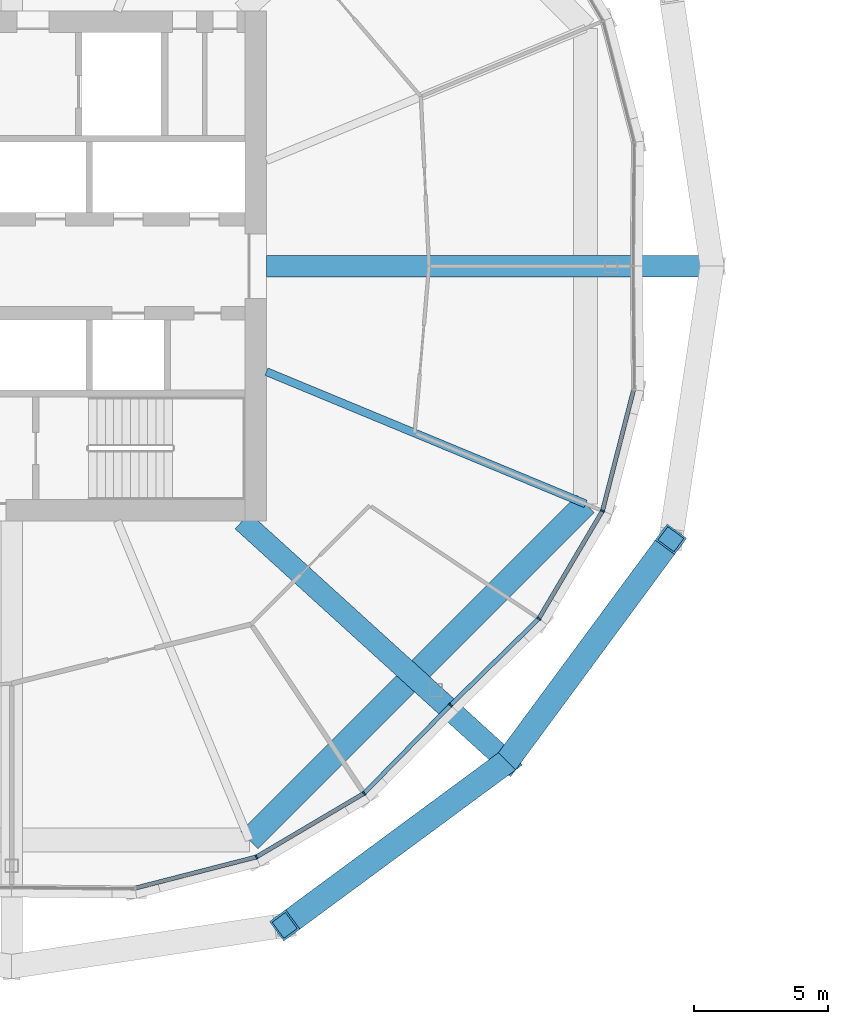
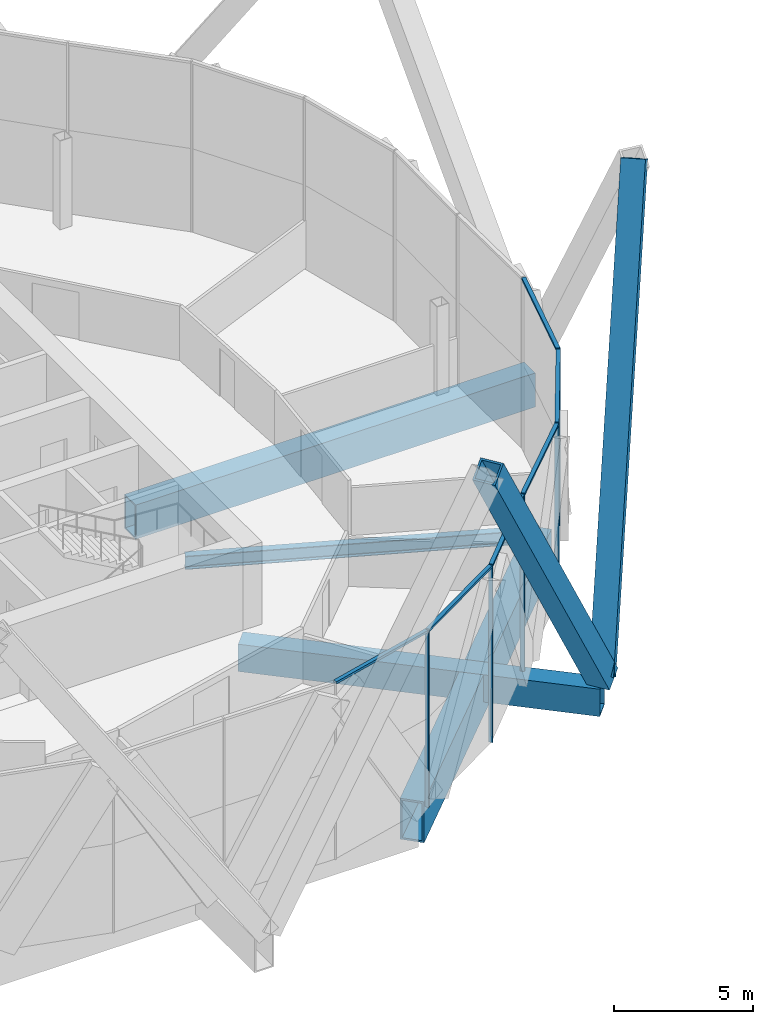
# One storey, part 6 of 28: 13 members, 4 beams, 2 elements without a shape of their own.
"""IFC4 building model written with IfcOpenShell, lengths in metres."""

from ifc_helpers import new_model, si_unit, direction, frame, origin, origin_2d, place, context, subcontext, project, spatial, rectangle, hollow_rectangle, i_section, extrude, material, material_profile, profile_set, type_object, element, aggregate, save


model = new_model("IFC4")

# Units and contexts
model_context = context("Model", 3, precision=1e-05, world=origin(), true_north=direction((0.0, 1.0)))
body_context = subcontext(model_context, "Body", "Model", "MODEL_VIEW")
ifc_project = project(units=[si_unit("LENGTHUNIT", "METRE"), si_unit("AREAUNIT", "SQUARE_METRE"), si_unit("VOLUMEUNIT", "CUBIC_METRE"), si_unit("PLANEANGLEUNIT", "RADIAN"), si_unit("MASSUNIT", "GRAM", prefix="KILO")], contexts=[model_context])

# Site, building, storey
site_placement = place(None, origin())
site = spatial("IfcSite", under=ifc_project, at=site_placement, CompositionType="ELEMENT")
building_placement = place(site_placement, origin())
building = spatial("IfcBuilding", under=site, at=building_placement, Name="Ogive Gate Towers", CompositionType="ELEMENT")
storey_placement = place(building_placement, frame((0.0, 0.0, 115.199951171875)))
storey = spatial("IfcBuildingStorey", under=building, at=storey_placement, Name="L27", CompositionType="ELEMENT", Elevation=115.199951171875)

# Members
ifc_material_1 = material(Name="Steel SM460", Category="steel")
ifc_material_profile_1 = material_profile(ifc_material_1, hollow_rectangle(XDim=0.89990234375, YDim=0.89990234375, WallThickness=0.080078125, at=origin_2d()), Name="BX 900x900x80")
ifc_profile_set_1 = profile_set([ifc_material_profile_1], Name="Steel SM460")
member_type_1 = type_object("IfcMemberType", Name="Diagrid diagonal BX 900x900x80", PredefinedType="BRACE", material=ifc_profile_set_1)
for number, where, z_axis, x_axis, name in (
    (1, (-17.537353515625, -18.462646484375, 0.0), (-0.443175302272, -0.327039025082, 0.83465030254), (0.593774070845, -0.804631811944, 0.0), "T1/L27/SDG015"),
    (2, (-17.537353515625, -18.462646484375, 0.0), (0.327039025082, 0.443175302272, 0.83465030254), (-0.804631811944, 0.593774070845, 0.0), "T1/L27/SDG016"),
):
    element("IfcMember", number, at=place(storey_placement, frame(where, z_axis=z_axis, x_axis=x_axis)), inside=storey, type_object=member_type_1, Name=name, PredefinedType="BRACE", context=body_context, shape_type="SweptSolid", body=[
        extrude(hollow_rectangle(XDim=0.89990234375, YDim=0.89990234375, WallThickness=0.080078125, at=origin_2d()), origin(), (0.0, 0.0, 1.0), 18.690673828125),
    ])

# Beams
ifc_material_profile_2 = material_profile(ifc_material_1, hollow_rectangle(XDim=0.89990234375, YDim=1.800048828125, WallThickness=0.080078125, at=origin_2d()), Name="BX 1800x900x80")
ifc_profile_set_2 = profile_set([ifc_material_profile_2], Name="Steel SM460")
beam_type_1 = type_object("IfcBeamType", Name="Edge girder BX 1800x900x80", PredefinedType="BEAM", material=ifc_profile_set_2)
beam_1_placement = place(storey_placement, frame((-27.136962890625, -21.39697265625, -1.199951171875), z_axis=(0.707106781187, 0.707106781187, 0.0), x_axis=(-0.707106781187, 0.707106781187, 0.0)))
element("IfcBeam", 3, at=beam_1_placement, inside=storey, type_object=beam_type_1, Name="T1/L27/SBM019", PredefinedType="BEAM", context=body_context, shape_type="SweptSolid", body=[
    extrude(hollow_rectangle(XDim=0.89990234375, YDim=1.800048828125, WallThickness=0.080078125, at=origin_2d()), origin(), (0.0, 0.0, 1.0), 17.7255859375),
])
ifc_material_2 = material(Name="Steel SM355", Category="steel")
ifc_material_profile_3 = material_profile(ifc_material_2, i_section(OverallWidth=0.300048828125, OverallDepth=0.590087890625, WebThickness=0.012939453125, FlangeThickness=0.02490234375, FilletRadius=0.027099609375, at=origin_2d()), Name="HE 600 A")
ifc_profile_set_3 = profile_set([ifc_material_profile_3], Name="Steel SM355")
beam_type_2 = type_object("IfcBeamType", Name="Radial floor beam HE 600 A", PredefinedType="BEAM", material=ifc_profile_set_3)
beam_2_placement = place(storey_placement, frame((-26.5, -3.93505859375, -0.594970703125), z_axis=(0.923877031545, -0.382689470177, 0.0), x_axis=(0.382689470177, 0.923877031545, 0.0)))
element("IfcBeam", 4, at=beam_2_placement, inside=storey, type_object=beam_type_2, Name="T1/L27/SBM007", PredefinedType="BEAM", context=body_context, shape_type="SweptSolid", body=[
    extrude(i_section(OverallWidth=0.300048828125, OverallDepth=0.590087890625, WebThickness=0.012939453125, FlangeThickness=0.02490234375, FilletRadius=0.027099609375, at=origin_2d()), origin(), (0.0, 0.0, 1.0), 12.877197265625),
])

# Curtain wall, members
ifc_material_3 = material(Name="Pale metal aluminium", Category="aluminium")
curtain_wall_type = type_object("IfcCurtainWallType", Name="Tower unitised wall, low zone", PredefinedType="NOTDEFINED", material=ifc_material_3)
curtain_wall_1_placement = place(storey_placement, origin())
curtain_wall_1 = element("IfcCurtainWall", 5, at=curtain_wall_1_placement, inside=storey, type_object=curtain_wall_type, Name="CW1 T1 ECW07", PredefinedType="NOTDEFINED")
ifc_material_profile_4 = material_profile(ifc_material_3, rectangle(XDim=0.159912109375, YDim=0.06005859375, at=origin_2d()), Name="60 x 160 aluminium box")
ifc_profile_set_4 = profile_set([ifc_material_profile_4], Name="Pale metal aluminium")
member_type_2 = type_object("IfcMemberType", Name="Tower unitised wall, low zone mullion 60 x 160", PredefinedType="MULLION", material=ifc_profile_set_4)
member_1_placement = place(storey_placement, frame((-26.87646484375, -22.026123046875, -0.300048828125), z_axis=(0.0, 0.0, 1.0), x_axis=(0.382683432365, -0.923879532511, 0.0)))
member_1 = element("IfcMember", 6, at=member_1_placement, type_object=member_type_2, Name="CW1 mullion", PredefinedType="MULLION", context=body_context, shape_type="SweptSolid", body=[
    extrude(rectangle(XDim=0.159912109375, YDim=0.06005859375, at=origin_2d()), origin(), (0.0, 0.0, 1.0), 7.800048828125),
])
member_2_placement = place(storey_placement, frame((-22.86083984375, -19.653076171875, -0.300048828125), z_axis=(0.0, 0.0, 1.0), x_axis=(0.616843572223, -0.787085768775, 0.0)))
member_2 = element("IfcMember", 7, at=member_2_placement, type_object=member_type_2, Name="CW1 mullion", PredefinedType="MULLION", context=body_context, shape_type="SweptSolid", body=[
    extrude(rectangle(XDim=0.159912109375, YDim=0.06005859375, at=origin_2d()), origin(), (0.0, 0.0, 1.0), 7.800048828125),
])
member_3_placement = place(storey_placement, frame((-19.6376953125, -16.362548828125, -0.300048828125), z_axis=(0.0, 0.0, 1.0), x_axis=(0.714350554462, -0.699788028863, 0.0)))
member_3 = element("IfcMember", 8, at=member_3_placement, type_object=member_type_2, Name="CW1 mullion", PredefinedType="MULLION", context=body_context, shape_type="SweptSolid", body=[
    extrude(rectangle(XDim=0.159912109375, YDim=0.06005859375, at=origin_2d()), origin(), (0.0, 0.0, 1.0), 7.800048828125),
])

curtain_wall_2_placement = place(storey_placement, origin())
curtain_wall_2 = element("IfcCurtainWall", 9, at=curtain_wall_2_placement, inside=storey, type_object=curtain_wall_type, Name="CW1 T1 ECW08", PredefinedType="NOTDEFINED")
member_4_placement = place(storey_placement, frame((-16.346923828125, -13.13916015625, -0.300048828125), z_axis=(0.0, 0.0, 1.0), x_axis=(0.787085768775, -0.616843572223, 0.0)))
member_4 = element("IfcMember", 10, at=member_4_placement, type_object=member_type_2, Name="CW1 mullion", PredefinedType="MULLION", context=body_context, shape_type="SweptSolid", body=[
    extrude(rectangle(XDim=0.159912109375, YDim=0.06005859375, at=origin_2d()), origin(), (0.0, 0.0, 1.0), 7.800048828125),
])
member_5_placement = place(storey_placement, frame((-13.973876953125, -9.12353515625, -0.300048828125), z_axis=(0.0, 0.0, 1.0), x_axis=(0.923879532511, -0.382683432365, 0.0)))
member_5 = element("IfcMember", 11, at=member_5_placement, type_object=member_type_2, Name="CW1 mullion", PredefinedType="MULLION", context=body_context, shape_type="SweptSolid", body=[
    extrude(rectangle(XDim=0.159912109375, YDim=0.06005859375, at=origin_2d()), origin(), (0.0, 0.0, 1.0), 7.800048828125),
])

# Member
ifc_material_profile_5 = material_profile(ifc_material_3, rectangle(XDim=0.159912109375, YDim=0.10009765625, at=origin_2d()), Name="100 x 160 aluminium box")
ifc_profile_set_5 = profile_set([ifc_material_profile_5], Name="Pale metal aluminium")
member_type_3 = type_object("IfcMemberType", Name="Tower unitised wall, low zone transom 100 x 160", PredefinedType="USERDEFINED", material=ifc_profile_set_5)
member_6_placement = place(storey_placement, frame((-31.367431640625, -23.1806640625, 7.449951171875), z_axis=(0.968497677012, 0.249022588577, 0.0), x_axis=(-0.249022588577, 0.968497677012, 0.0)))
member_6 = element("IfcMember", 12, at=member_6_placement, type_object=member_type_3, Name="CW1 transom", ObjectType="TRANSOM", PredefinedType="USERDEFINED", context=body_context, shape_type="SweptSolid", body=[
    extrude(rectangle(XDim=0.159912109375, YDim=0.10009765625, at=origin_2d()), origin(), (0.0, 0.0, 1.0), 4.60986328125),
])

member_7_placement = place(storey_placement, frame((-26.85302734375, -22.01220703125, 7.449951171875), z_axis=(0.860885405398, 0.508798898164, 0.0), x_axis=(-0.508798898164, 0.860885405398, 0.0)))
member_7 = element("IfcMember", 13, at=member_7_placement, type_object=member_type_3, Name="CW1 transom", ObjectType="TRANSOM", PredefinedType="USERDEFINED", context=body_context, shape_type="SweptSolid", body=[
    extrude(rectangle(XDim=0.159912109375, YDim=0.10009765625, at=origin_2d()), origin(), (0.0, 0.0, 1.0), 4.60986328125),
])

member_8_placement = place(storey_placement, frame((-22.841796875, -19.63330078125, 7.449951171875), z_axis=(0.699796604064, 0.714342153972, 0.0), x_axis=(-0.714342153972, 0.699796604064, 0.0)))
member_8 = element("IfcMember", 14, at=member_8_placement, type_object=member_type_3, Name="CW1 transom", ObjectType="TRANSOM", PredefinedType="USERDEFINED", context=body_context, shape_type="SweptSolid", body=[
    extrude(rectangle(XDim=0.159912109375, YDim=0.10009765625, at=origin_2d()), origin(), (0.0, 0.0, 1.0), 4.548583984375),
])

aggregate(curtain_wall_1, [member_1, member_6, member_2, member_7, member_3, member_8])

member_9_placement = place(storey_placement, frame((-19.615966796875, -16.34130859375, 7.449951171875), z_axis=(0.714342153972, 0.699796604064, 0.0), x_axis=(-0.699796604064, 0.714342153972, 0.0)))
member_9 = element("IfcMember", 15, at=member_9_placement, type_object=member_type_3, Name="CW1 transom", ObjectType="TRANSOM", PredefinedType="USERDEFINED", context=body_context, shape_type="SweptSolid", body=[
    extrude(rectangle(XDim=0.159912109375, YDim=0.10009765625, at=origin_2d()), origin(), (0.0, 0.0, 1.0), 4.548583984375),
])

member_10_placement = place(storey_placement, frame((-16.333251953125, -13.115478515625, 7.449951171875), z_axis=(0.508798898164, 0.860885405398, 0.0), x_axis=(-0.860885405398, 0.508798898164, 0.0)))
member_10 = element("IfcMember", 16, at=member_10_placement, type_object=member_type_3, Name="CW1 transom", ObjectType="TRANSOM", PredefinedType="USERDEFINED", context=body_context, shape_type="SweptSolid", body=[
    extrude(rectangle(XDim=0.159912109375, YDim=0.10009765625, at=origin_2d()), origin(), (0.0, 0.0, 1.0), 4.60986328125),
])

member_11_placement = place(storey_placement, frame((-13.96728515625, -9.09716796875, 7.449951171875), z_axis=(0.249022588577, 0.968497677012, 0.0), x_axis=(-0.968497677012, 0.249022588577, 0.0)))
member_11 = element("IfcMember", 17, at=member_11_placement, type_object=member_type_3, Name="CW1 transom", ObjectType="TRANSOM", PredefinedType="USERDEFINED", context=body_context, shape_type="SweptSolid", body=[
    extrude(rectangle(XDim=0.159912109375, YDim=0.10009765625, at=origin_2d()), origin(), (0.0, 0.0, 1.0), 4.60986328125),
])

aggregate(curtain_wall_2, [member_4, member_9, member_5, member_10, member_11])

# Beams
ifc_material_profile_6 = material_profile(ifc_material_1, hollow_rectangle(XDim=0.800048828125, YDim=1.199951171875, WallThickness=0.050048828125, at=origin_2d()), Name="BX 1200x800x50")
ifc_profile_set_6 = profile_set([ifc_material_profile_6], Name="Steel SM460")
beam_type_3 = type_object("IfcBeamType", Name="Transfer radial beam BX 1200x800x50", PredefinedType="BEAM", material=ifc_profile_set_6)
beam_3_placement = place(storey_placement, frame((-27.39990234375, -9.5, -0.89990234375), z_axis=(0.740063574275, -0.672536917969, 0.0), x_axis=(0.672536917969, 0.740063574275, 0.0)))
element("IfcBeam", 18, at=beam_3_placement, inside=storey, type_object=beam_type_3, Name="T1/L27/SBM006", PredefinedType="BEAM", context=body_context, shape_type="SweptSolid", body=[
    extrude(hollow_rectangle(XDim=0.800048828125, YDim=1.199951171875, WallThickness=0.050048828125, at=origin_2d()), origin(), (0.0, 0.0, 1.0), 13.32666015625),
])
ifc_material_profile_7 = material_profile(ifc_material_1, hollow_rectangle(XDim=0.800048828125, YDim=1.5, WallThickness=0.06005859375, at=origin_2d()), Name="BX 1500x800x60")
ifc_profile_set_7 = profile_set([ifc_material_profile_7], Name="Steel SM460")
beam_type_4 = type_object("IfcBeamType", Name="Transfer radial beam BX 1500x800x60", PredefinedType="BEAM", material=ifc_profile_set_7)
beam_4_placement = place(storey_placement, frame((-26.5, 0.0, -1.050048828125), z_axis=(1.0, 0.0, 0.0), x_axis=(0.0, 1.0, 0.0)))
element("IfcBeam", 19, at=beam_4_placement, inside=storey, type_object=beam_type_4, Name="T1/L27/SBM008", PredefinedType="BEAM", context=body_context, shape_type="SweptSolid", body=[
    extrude(hollow_rectangle(XDim=0.800048828125, YDim=1.5, WallThickness=0.06005859375, at=origin_2d()), origin(), (0.0, 0.0, 1.0), 16.610107421875),
])

save(model, "model.ifc")
